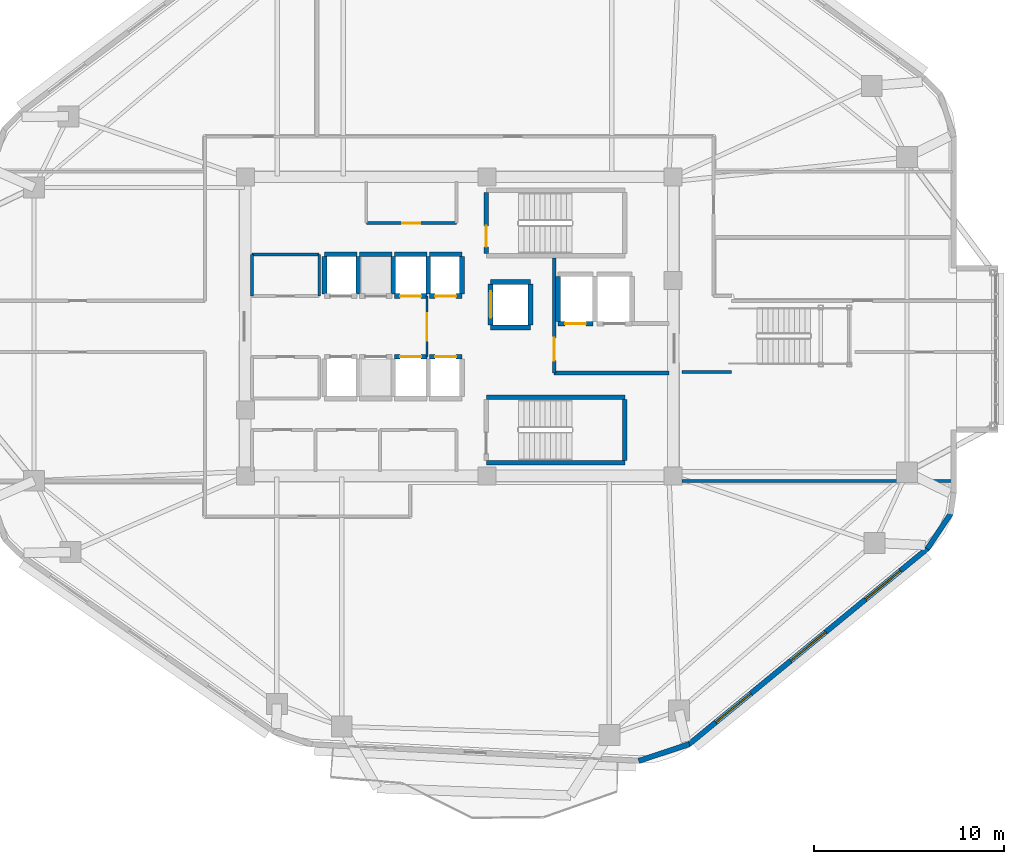
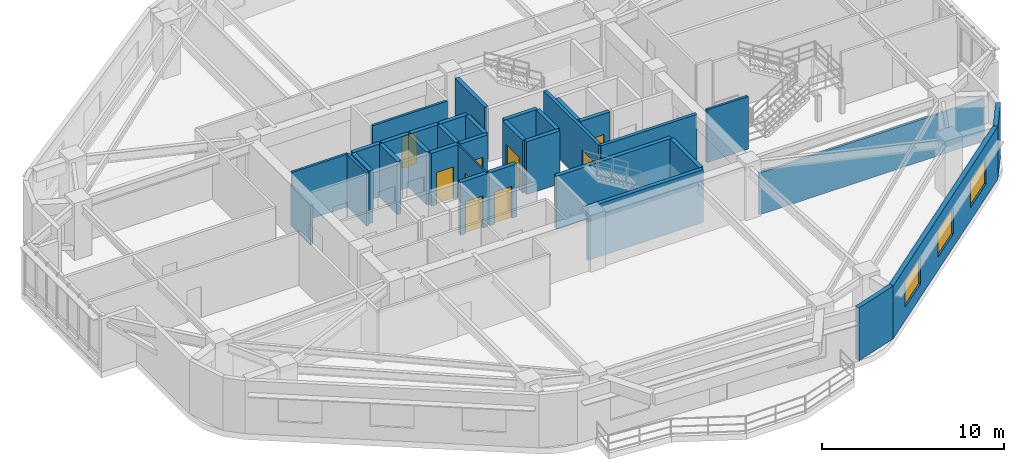
# One storey, part 10 of 16: 35 walls, 10 doors, 3 windows, 13 openings.
"""IFC4 building model written with IfcOpenShell, lengths in metres."""

from ifc_helpers import new_model, si_unit, direction, frame, frame_2d, origin, place, context, subcontext, project, spatial, rectangle, extrude, material, layer, layer_set, type_object, element, fill, save


model = new_model("IFC4")

# Units and contexts
model_context = context("Model", 3, precision=1e-05, world=origin(), true_north=direction((0.0, 1.0)))
body_context = subcontext(model_context, "Body", "Model", "MODEL_VIEW")
ifc_project = project(units=[si_unit("LENGTHUNIT", "METRE"), si_unit("AREAUNIT", "SQUARE_METRE"), si_unit("VOLUMEUNIT", "CUBIC_METRE"), si_unit("PLANEANGLEUNIT", "RADIAN"), si_unit("MASSUNIT", "GRAM", prefix="KILO")], contexts=[model_context])

# Site, building, storey
site_placement = place(None, origin())
site = spatial("IfcSite", under=ifc_project, at=site_placement, CompositionType="ELEMENT")
building_placement = place(site_placement, origin())
building = spatial("IfcBuilding", under=site, at=building_placement, Name="Zulverin Broadcast Headquarters", CompositionType="ELEMENT")
storey_placement = place(building_placement, frame((0.0, 0.0, 125.0)))
storey = spatial("IfcBuildingStorey", under=building, at=storey_placement, Name="L31", CompositionType="ELEMENT", Elevation=125.0)

# Wall, openings, windows
ifc_material_1 = material(Name="Insulated pale-metal clad concrete spandrel C40/50", Category="concrete")
ifc_layer_1 = layer(ifc_material_1, 0.280029296875, Name="Insulated pale-metal clad concrete spandrel C40/50", Category="concrete")
ifc_layer_set_1 = layer_set([ifc_layer_1], Name="Insulated pale-metal clad concrete spandrel C40/50")
wall_type_1 = type_object("IfcWallType", Name="WL-EXT-280", PredefinedType="STANDARD", material=ifc_layer_set_1)
wall_1_placement = place(storey_placement, frame((49.080078125, 3.164306640625, 0.0), z_axis=(0.0, 0.0, 1.0), x_axis=(0.772937830186, 0.634481765433, 0.0)))
wall_1 = element("IfcWall", 1, at=wall_1_placement, inside=storey, type_object=wall_type_1, Name="L31 Pale-Metal Clad Spandrel Wall 2", PredefinedType="STANDARD", context=body_context, shape_type="SweptSolid", body=[
    extrude(rectangle(XDim=16.308837890625, YDim=0.280029296875, at=frame_2d((8.154296875, 0.0))), origin(), (0.0, 0.0, 1.0), 3.5400390625),
])
opening_1_placement = place(wall_1_placement, frame((1.8515625, 0.0, 0.89990234375)))
opening_1 = element("IfcOpeningElement", 2, at=opening_1_placement, cuts=wall_1, Name="Opening W-L31-E21", PredefinedType="OPENING", context=body_context, shape_type="SweptSolid", body=[
    extrude(rectangle(XDim=2.39990234375, YDim=1.75, at=frame_2d((1.199951171875, 0.875))), frame((0.0, 0.14990234375, 0.0), z_axis=(0.0, -1.0, 0.0), x_axis=(1.0, 0.0, 0.0)), (0.0, 0.0, 1.0), 0.300048828125),
])
opening_2_placement = place(wall_1_placement, frame((6.954345703125, 0.0, 0.89990234375)))
opening_2 = element("IfcOpeningElement", 3, at=opening_2_placement, cuts=wall_1, Name="Opening W-L31-E22", PredefinedType="OPENING", context=body_context, shape_type="SweptSolid", body=[
    extrude(rectangle(XDim=2.39990234375, YDim=1.75, at=frame_2d((1.199951171875, 0.875))), frame((0.0, 0.14990234375, 0.0), z_axis=(0.0, -1.0, 0.0), x_axis=(1.0, 0.0, 0.0)), (0.0, 0.0, 1.0), 0.300048828125),
])
opening_3_placement = place(wall_1_placement, frame((12.057373046875, 0.0, 0.89990234375)))
opening_3 = element("IfcOpeningElement", 4, at=opening_3_placement, cuts=wall_1, Name="Opening W-L31-E23", PredefinedType="OPENING", context=body_context, shape_type="SweptSolid", body=[
    extrude(rectangle(XDim=2.39990234375, YDim=1.75, at=frame_2d((1.199951171875, 0.875))), frame((0.0, 0.14990234375, 0.0), z_axis=(0.0, -1.0, 0.0), x_axis=(1.0, 0.0, 0.0)), (0.0, 0.0, 1.0), 0.300048828125),
])
ifc_material_2 = material(Name="Pale anodized aluminium frame with solar-control low-E double glazing", Category="aluminium")
window_type = type_object("IfcWindowType", Name="WIN-RIB-2400", PartitioningType="SINGLE_PANEL", PredefinedType="WINDOW", material=ifc_material_2)
window_1_placement = place(opening_1_placement, origin())
window_1 = element("IfcWindow", 5, at=window_1_placement, inside=storey, type_object=window_type, Name="L31 Ribbon Glazing Window 2 1", OverallHeight=1.75, OverallWidth=2.39990234375, PartitioningType="SINGLE_PANEL", PredefinedType="WINDOW", context=body_context, shape_type="SweptSolid", body=[
    extrude(rectangle(XDim=2.39990234375, YDim=1.75, at=frame_2d((1.199951171875, 0.875))), frame((0.0, 0.030029296875, 0.0), z_axis=(0.0, -1.0, 0.0), x_axis=(1.0, 0.0, 0.0)), (0.0, 0.0, 1.0), 0.06005859375),
])
fill(opening_1, window_1)
window_2_placement = place(opening_2_placement, origin())
window_2 = element("IfcWindow", 6, at=window_2_placement, inside=storey, type_object=window_type, Name="L31 Ribbon Glazing Window 2 2", OverallHeight=1.75, OverallWidth=2.39990234375, PartitioningType="SINGLE_PANEL", PredefinedType="WINDOW", context=body_context, shape_type="SweptSolid", body=[
    extrude(rectangle(XDim=2.39990234375, YDim=1.75, at=frame_2d((1.199951171875, 0.875))), frame((0.0, 0.030029296875, 0.0), z_axis=(0.0, -1.0, 0.0), x_axis=(1.0, 0.0, 0.0)), (0.0, 0.0, 1.0), 0.06005859375),
])
fill(opening_2, window_2)
window_3_placement = place(opening_3_placement, origin())
window_3 = element("IfcWindow", 7, at=window_3_placement, inside=storey, type_object=window_type, Name="L31 Ribbon Glazing Window 2 3", OverallHeight=1.75, OverallWidth=2.39990234375, PartitioningType="SINGLE_PANEL", PredefinedType="WINDOW", context=body_context, shape_type="SweptSolid", body=[
    extrude(rectangle(XDim=2.39990234375, YDim=1.75, at=frame_2d((1.199951171875, 0.875))), frame((0.0, 0.030029296875, 0.0), z_axis=(0.0, -1.0, 0.0), x_axis=(1.0, 0.0, 0.0)), (0.0, 0.0, 1.0), 0.06005859375),
])
fill(opening_3, window_3)

# Walls
wall_2_placement = place(storey_placement, frame((46.455078125, 2.30859375, 0.0), z_axis=(0.0, 0.0, 1.0), x_axis=(0.949677222099, 0.313230224955, 0.0)))
element("IfcWall", 8, at=wall_2_placement, inside=storey, type_object=wall_type_1, Name="L31 Wind-Shaped Corner Spandrel Wall 1-1", PredefinedType="STANDARD", context=body_context, shape_type="SweptSolid", body=[
    extrude(rectangle(XDim=2.811279296875, YDim=0.280029296875, at=frame_2d((1.40576171875, 0.0))), origin(), (0.0, 0.0, 1.0), 3.5400390625),
])
wall_3_placement = place(storey_placement, frame((61.658203125, 13.481689453125, 0.0), z_axis=(0.0, 0.0, 1.0), x_axis=(0.555521224344, 0.831502356764, 0.0)))
element("IfcWall", 9, at=wall_3_placement, inside=storey, type_object=wall_type_1, Name="L31 Wind-Shaped Corner Spandrel Wall 2-1", PredefinedType="STANDARD", context=body_context, shape_type="SweptSolid", body=[
    extrude(rectangle(XDim=2.263671875, YDim=0.280029296875, at=frame_2d((1.1318359375, 0.0))), origin(), (0.0, 0.0, 1.0), 3.5400390625),
])

# Wall, opening, door
ifc_material_3 = material(Name="Concrete C40/50", Category="concrete")
ifc_layer_2 = layer(ifc_material_3, 0.199951171875, Name="Concrete C40/50", Category="concrete")
ifc_layer_set_2 = layer_set([ifc_layer_2], Name="Concrete C40/50")
wall_type_2 = type_object("IfcWallType", Name="WL-FFL-200", PredefinedType="SOLIDWALL", material=ifc_layer_set_2)
wall_4_placement = place(storey_placement, frame((42.0, 22.75, 0.0), z_axis=(0.0, 0.0, 1.0), x_axis=(0.0, 1.0, 0.0)))
wall_4 = element("IfcWall", 10, at=wall_4_placement, inside=storey, type_object=wall_type_2, Name="L31 Firefighting Lift Lobby West Wall", PredefinedType="SOLIDWALL", context=body_context, shape_type="SweptSolid", body=[
    extrude(rectangle(XDim=6.050048828125, YDim=0.199951171875, at=frame_2d((3.02490234375, 0.0))), origin(), (0.0, 0.0, 1.0), 3.5400390625),
])
opening_4_placement = place(wall_4_placement, frame((0.64990234375, 0.0, 0.0)))
opening_4 = element("IfcOpeningElement", 11, at=opening_4_placement, cuts=wall_4, Name="Opening D-L31-FFLW", PredefinedType="OPENING", context=body_context, shape_type="SweptSolid", body=[
    extrude(rectangle(XDim=1.199951171875, YDim=2.14990234375, at=frame_2d((0.60009765625, 1.074951171875))), frame((0.0, 0.10986328125, 0.0), z_axis=(0.0, -1.0, 0.0), x_axis=(1.0, 0.0, 0.0)), (0.0, 0.0, 1.0), 0.219970703125),
])
ifc_material_4 = material(Name="Fire-rated steel leaf and frame", Category="steel")
door_type_1 = type_object("IfcDoorType", Name="DR-FFL-1200", OperationType="SINGLE_SWING_RIGHT", PredefinedType="DOOR", material=ifc_material_4)
door_1_placement = place(opening_4_placement, origin())
door_1 = element("IfcDoor", 12, at=door_1_placement, inside=storey, type_object=door_type_1, Name="L31 Firefighting Lift Lobby Door", OperationType="SINGLE_SWING_RIGHT", OverallHeight=2.14990234375, OverallWidth=1.199951171875, PredefinedType="DOOR", context=body_context, shape_type="SweptSolid", body=[
    extrude(rectangle(XDim=1.199951171875, YDim=2.14990234375, at=frame_2d((0.60009765625, 1.074951171875))), frame((0.0, 0.02490234375, 0.0), z_axis=(0.0, -1.0, 0.0), x_axis=(1.0, 0.0, 0.0)), (0.0, 0.0, 1.0), 0.050048828125),
])
fill(opening_4, door_1)

# Wall
wall_5_placement = place(storey_placement, frame((42.0, 22.75, 0.0), z_axis=(0.0, 0.0, 1.0), x_axis=(1.0, 0.0, 0.0)))
element("IfcWall", 13, at=wall_5_placement, inside=storey, type_object=wall_type_2, Name="L31 Firefighting Lift Lobby South Wall", PredefinedType="SOLIDWALL", context=body_context, shape_type="SweptSolid", body=[
    extrude(rectangle(XDim=6.050048828125, YDim=0.199951171875, at=frame_2d((3.02490234375, 0.0))), origin(), (0.0, 0.0, 1.0), 3.5400390625),
])

# Wall, opening, door
ifc_material_5 = material(Name="Fire-rated acoustic laminated glass screen", Category="glass")
ifc_layer_3 = layer(ifc_material_5, 0.10009765625, Name="Fire-rated acoustic laminated glass screen", Category="glass")
ifc_layer_set_3 = layer_set([ifc_layer_3], Name="Fire-rated acoustic laminated glass screen")
wall_type_3 = type_object("IfcWallType", Name="WL-GLAZ-100", PredefinedType="PARTITIONING", material=ifc_layer_set_3)
wall_6_placement = place(storey_placement, frame((35.300048828125, 23.60009765625, 0.0), z_axis=(0.0, 0.0, 1.0), x_axis=(0.0, 1.0, 0.0)))
wall_6 = element("IfcWall", 14, at=wall_6_placement, inside=storey, type_object=wall_type_3, Name="L31 Central Core Smoke Vestibule Screen", PredefinedType="PARTITIONING", context=body_context, shape_type="SweptSolid", body=[
    extrude(rectangle(XDim=3.199951171875, YDim=0.10009765625, at=frame_2d((1.60009765625, 0.0))), origin(), (0.0, 0.0, 1.0), 3.5400390625),
])
opening_5_placement = place(wall_6_placement, frame((0.85009765625, 0.0, 0.0)))
opening_5 = element("IfcOpeningElement", 15, at=opening_5_placement, cuts=wall_6, Name="Opening D-L31-CL2", PredefinedType="OPENING", context=body_context, shape_type="SweptSolid", body=[
    extrude(rectangle(XDim=1.449951171875, YDim=2.1201171875, at=frame_2d((0.72509765625, 1.06005859375))), frame((0.0, 0.06005859375, 0.0), z_axis=(0.0, -1.0, 0.0), x_axis=(1.0, 0.0, 0.0)), (0.0, 0.0, 1.0), 0.1201171875),
])
ifc_material_6 = material(Name="Fire-rated acoustic glazed double leaf", Category="glass")
door_type_2 = type_object("IfcDoorType", Name="DR-GLZ-1450", OperationType="DOUBLE_DOOR_SINGLE_SWING", PredefinedType="DOOR", material=ifc_material_6)
door_2_placement = place(opening_5_placement, origin())
door_2 = element("IfcDoor", 16, at=door_2_placement, inside=storey, type_object=door_type_2, Name="L31 Central Core Smoke Vestibule Door", OperationType="DOUBLE_DOOR_SINGLE_SWING", OverallHeight=2.1201171875, OverallWidth=1.449951171875, PredefinedType="DOOR", context=body_context, shape_type="SweptSolid", body=[
    extrude(rectangle(XDim=1.449951171875, YDim=2.1201171875, at=frame_2d((0.72509765625, 1.06005859375))), frame((0.0, 0.02490234375, 0.0), z_axis=(0.0, -1.0, 0.0), x_axis=(1.0, 0.0, 0.0)), (0.0, 0.0, 1.0), 0.050048828125),
])
fill(opening_5, door_2)

ifc_material_7 = material(Name="Fire-rated gypsum stud partition", Category="gypsum")
ifc_layer_4 = layer(ifc_material_7, 0.14990234375, Name="Fire-rated gypsum stud partition", Category="gypsum")
ifc_layer_set_4 = layer_set([ifc_layer_4], Name="Fire-rated gypsum stud partition")
wall_type_4 = type_object("IfcWallType", Name="WL-PART-150", PredefinedType="PARTITIONING", material=ifc_layer_set_4)
wall_7_placement = place(storey_placement, frame((32.10009765625, 30.64990234375, 0.0), z_axis=(0.0, 0.0, 1.0), x_axis=(1.0, 0.0, 0.0)))
wall_7 = element("IfcWall", 17, at=wall_7_placement, inside=storey, type_object=wall_type_4, Name="L31 Core Accessible WC & Electrical Riser Front Wall", PredefinedType="PARTITIONING", context=body_context, shape_type="SweptSolid", body=[
    extrude(rectangle(XDim=4.75, YDim=0.14990234375, at=frame_2d((2.375, 0.0))), origin(), (0.0, 0.0, 1.0), 3.5400390625),
])
opening_6_placement = place(wall_7_placement, frame((1.89990234375, 0.0, 0.0)))
opening_6 = element("IfcOpeningElement", 18, at=opening_6_placement, cuts=wall_7, Name="Opening D-L31-NC1", PredefinedType="OPENING", context=body_context, shape_type="SweptSolid", body=[
    extrude(rectangle(XDim=0.949951171875, YDim=2.10009765625, at=frame_2d((0.47509765625, 1.050048828125))), frame((0.0, 0.0849609375, 0.0), z_axis=(0.0, -1.0, 0.0), x_axis=(1.0, 0.0, 0.0)), (0.0, 0.0, 1.0), 0.169921875),
])
ifc_material_8 = material(Name="Fire-rated moisture-resistant laminate leaf", Category="wood")
door_type_3 = type_object("IfcDoorType", Name="DR-WC-950", OperationType="SINGLE_SWING_LEFT", PredefinedType="DOOR", material=ifc_material_8)
door_3_placement = place(opening_6_placement, origin())
door_3 = element("IfcDoor", 19, at=door_3_placement, inside=storey, type_object=door_type_3, Name="L31 Accessible WC & Electrical Riser Door", OperationType="SINGLE_SWING_LEFT", OverallHeight=2.10009765625, OverallWidth=0.949951171875, PredefinedType="DOOR", context=body_context, shape_type="SweptSolid", body=[
    extrude(rectangle(XDim=0.949951171875, YDim=2.10009765625, at=frame_2d((0.47509765625, 1.050048828125))), frame((0.0, 0.02490234375, 0.0), z_axis=(0.0, -1.0, 0.0), x_axis=(1.0, 0.0, 0.0)), (0.0, 0.0, 1.0), 0.050048828125),
])
fill(opening_6, door_3)

# Walls
wall_8_placement = place(storey_placement, frame((26.070068359375, 29.0, 0.0), z_axis=(0.0, 0.0, 1.0), x_axis=(1.0, 0.0, 0.0)))
element("IfcWall", 20, at=wall_8_placement, inside=storey, type_object=wall_type_4, Name="L31 Broadcast Signal Patch Room N Wall", PredefinedType="PARTITIONING", context=body_context, shape_type="SweptSolid", body=[
    extrude(rectangle(XDim=3.550048828125, YDim=0.14990234375, at=frame_2d((1.77490234375, 0.0))), origin(), (0.0, 0.0, 1.0), 3.5400390625),
])
wall_9_placement = place(storey_placement, frame((26.070068359375, 26.800048828125, 0.0), z_axis=(0.0, 0.0, 1.0), x_axis=(0.0, 1.0, 0.0)))
element("IfcWall", 21, at=wall_9_placement, inside=storey, type_object=wall_type_4, Name="L31 Broadcast Signal Patch Room W Wall", PredefinedType="PARTITIONING", context=body_context, shape_type="SweptSolid", body=[
    extrude(rectangle(XDim=2.199951171875, YDim=0.14990234375, at=frame_2d((1.10009765625, 0.0))), origin(), (0.0, 0.0, 1.0), 2.639892578125),
])
wall_10_placement = place(storey_placement, frame((29.6201171875, 26.800048828125, 0.0), z_axis=(0.0, 0.0, 1.0), x_axis=(0.0, 1.0, 0.0)))
element("IfcWall", 22, at=wall_10_placement, inside=storey, type_object=wall_type_4, Name="L31 Broadcast Signal Patch Room E Wall", PredefinedType="PARTITIONING", context=body_context, shape_type="SweptSolid", body=[
    extrude(rectangle(XDim=2.199951171875, YDim=0.14990234375, at=frame_2d((1.10009765625, 0.0))), origin(), (0.0, 0.0, 1.0), 3.5400390625),
])
wall_11_placement = place(storey_placement, frame((48.739990234375, 17.050048828125, 0.0), z_axis=(0.0, 0.0, 1.0), x_axis=(1.0, 0.0, 0.0)))
element("IfcWall", 23, at=wall_11_placement, inside=storey, type_object=wall_type_4, Name="L31 Room Partition Wall RP-08", PredefinedType="PARTITIONING", context=body_context, shape_type="SweptSolid", body=[
    extrude(rectangle(XDim=14.255126953125, YDim=0.14990234375, at=frame_2d((7.12744140625, 0.0))), origin(), (0.0, 0.0, 1.0), 2.7900390625),
])
wall_12_placement = place(storey_placement, frame((48.739990234375, 22.800048828125, 0.0), z_axis=(0.0, 0.0, 1.0), x_axis=(1.0, 0.0, 0.0)))
element("IfcWall", 24, at=wall_12_placement, inside=storey, type_object=wall_type_4, Name="L31 Gallery Partition Wall CG-09", PredefinedType="PARTITIONING", context=body_context, shape_type="SweptSolid", body=[
    extrude(rectangle(XDim=2.610107421875, YDim=0.14990234375, at=frame_2d((1.30517578125, 0.0))), origin(), (0.0, 0.0, 1.0), 3.5400390625),
])

# Wall, opening, door
ifc_material_9 = material(Name="Concrete C50/60", Category="concrete")
ifc_layer_5 = layer(ifc_material_9, 0.25, Name="Concrete C50/60", Category="concrete")
ifc_layer_set_5 = layer_set([ifc_layer_5], Name="Concrete C50/60")
wall_type_5 = type_object("IfcWallType", Name="WL-SHAFT-250", PredefinedType="SHEAR", material=ifc_layer_set_5)
wall_13_placement = place(storey_placement, frame((38.425048828125, 29.050048828125, 0.0), z_axis=(0.0, 0.0, 1.0), x_axis=(0.0, 1.0, 0.0)))
wall_13 = element("IfcWall", 25, at=wall_13_placement, inside=storey, type_object=wall_type_5, Name="L31 ST-1 Enclosure Wall W", PredefinedType="SHEAR", context=body_context, shape_type="SweptSolid", body=[
    extrude(rectangle(XDim=3.199951171875, YDim=0.25, at=frame_2d((1.60009765625, 0.0))), origin(), (0.0, 0.0, 1.0), 3.5400390625),
])
opening_7_placement = place(wall_13_placement, frame((0.35009765625, 0.0, 0.0)))
opening_7 = element("IfcOpeningElement", 26, at=opening_7_placement, cuts=wall_13, Name="Opening D-L31-ST-1", PredefinedType="OPENING", context=body_context, shape_type="SweptSolid", body=[
    extrude(rectangle(XDim=1.10009765625, YDim=2.14990234375, at=frame_2d((0.550048828125, 1.074951171875))), frame((0.0, 0.135009765625, 0.0), z_axis=(0.0, -1.0, 0.0), x_axis=(1.0, 0.0, 0.0)), (0.0, 0.0, 1.0), 0.27001953125),
])
door_type_4 = type_object("IfcDoorType", Name="DR-STAIR-1100", OperationType="SINGLE_SWING_LEFT", PredefinedType="DOOR", material=ifc_material_4)
door_4_placement = place(opening_7_placement, origin())
door_4 = element("IfcDoor", 27, at=door_4_placement, inside=storey, type_object=door_type_4, Name="L31 Exit Stair ST-1 Fire Door", OperationType="SINGLE_SWING_LEFT", OverallHeight=2.14990234375, OverallWidth=1.10009765625, PredefinedType="DOOR", context=body_context, shape_type="SweptSolid", body=[
    extrude(rectangle(XDim=1.10009765625, YDim=2.14990234375, at=frame_2d((0.550048828125, 1.074951171875))), frame((0.0, 0.02490234375, 0.0), z_axis=(0.0, -1.0, 0.0), x_axis=(1.0, 0.0, 0.0)), (0.0, 0.0, 1.0), 0.050048828125),
])
fill(opening_7, door_4)

# Walls
for number, where, z_axis, x_axis, name in (
    (28, (38.425048828125, 18.02490234375, 0.0), (0.0, 0.0, 1.0), (1.0, 0.0, 0.0), "L31 ST-2 Enclosure Wall S"),
    (29, (38.425048828125, 21.47509765625, 0.0), (0.0, 0.0, 1.0), (1.0, 0.0, 0.0), "L31 ST-2 Enclosure Wall N"),
):
    element("IfcWall", number, at=place(storey_placement, frame(where, z_axis=z_axis, x_axis=x_axis)), inside=storey, type_object=wall_type_5, Name=name, PredefinedType="SHEAR", context=body_context, shape_type="SweptSolid", body=[
        extrude(rectangle(XDim=7.300048828125, YDim=0.25, at=frame_2d((3.64990234375, 0.0))), origin(), (0.0, 0.0, 1.0), 3.5400390625),
    ])
wall_14_placement = place(storey_placement, frame((45.72509765625, 18.14990234375, 0.0), z_axis=(0.0, 0.0, 1.0), x_axis=(0.0, 1.0, 0.0)))
element("IfcWall", 30, at=wall_14_placement, inside=storey, type_object=wall_type_5, Name="L31 ST-2 Enclosure Wall E", PredefinedType="SHEAR", context=body_context, shape_type="SweptSolid", body=[
    extrude(rectangle(XDim=3.2001953125, YDim=0.25, at=frame_2d((1.60009765625, 0.0))), origin(), (0.0, 0.0, 1.0), 3.5400390625),
])

# Wall, opening, door
wall_15_placement = place(storey_placement, frame((33.580078125, 23.60009765625, 0.0), z_axis=(0.0, 0.0, 1.0), x_axis=(1.0, 0.0, 0.0)))
wall_15 = element("IfcWall", 31, at=wall_15_placement, inside=storey, type_object=wall_type_5, Name="L31 Lift PL-M3 Shaft Wall N", PredefinedType="SHEAR", context=body_context, shape_type="SweptSolid", body=[
    extrude(rectangle(XDim=1.719970703125, YDim=0.25, at=frame_2d((0.85986328125, 0.0))), origin(), (0.0, 0.0, 1.0), 3.5400390625),
])
opening_8_placement = place(wall_15_placement, frame((0.31005859375, 0.0, 0.0)))
opening_8 = element("IfcOpeningElement", 32, at=opening_8_placement, cuts=wall_15, Name="Opening LD-PL-M3-L31", PredefinedType="OPENING", context=body_context, shape_type="SweptSolid", body=[
    extrude(rectangle(XDim=1.10009765625, YDim=2.14990234375, at=frame_2d((0.550048828125, 1.074951171875))), frame((0.0, 0.135009765625, 0.0), z_axis=(0.0, -1.0, 0.0), x_axis=(1.0, 0.0, 0.0)), (0.0, 0.0, 1.0), 0.27001953125),
])
ifc_material_10 = material(Name="Brushed stainless steel landing", Category="steel")
door_type_5 = type_object("IfcDoorType", Name="LD-PASS-1100", OperationType="DOUBLE_DOOR_SLIDING", PredefinedType="DOOR", material=ifc_material_10)
door_5_placement = place(opening_8_placement, origin())
door_5 = element("IfcDoor", 33, at=door_5_placement, inside=storey, type_object=door_type_5, Name="L31 Lift PL-M3 Sliding Landing Door", OperationType="DOUBLE_DOOR_SLIDING", OverallHeight=2.14990234375, OverallWidth=1.10009765625, PredefinedType="DOOR", context=body_context, shape_type="SweptSolid", body=[
    extrude(rectangle(XDim=1.10009765625, YDim=2.14990234375, at=frame_2d((0.550048828125, 1.074951171875))), frame((0.0, 0.02490234375, 0.0), z_axis=(0.0, -1.0, 0.0), x_axis=(1.0, 0.0, 0.0)), (0.0, 0.0, 1.0), 0.050048828125),
])
fill(opening_8, door_5)

wall_16_placement = place(storey_placement, frame((35.419921875, 23.60009765625, 0.0), z_axis=(0.0, 0.0, 1.0), x_axis=(1.0, 0.0, 0.0)))
wall_16 = element("IfcWall", 34, at=wall_16_placement, inside=storey, type_object=wall_type_5, Name="L31 Lift PL-M4 Shaft Wall N", PredefinedType="SHEAR", context=body_context, shape_type="SweptSolid", body=[
    extrude(rectangle(XDim=1.719970703125, YDim=0.25, at=frame_2d((0.85986328125, 0.0))), origin(), (0.0, 0.0, 1.0), 3.5400390625),
])
opening_9_placement = place(wall_16_placement, frame((0.31005859375, 0.0, 0.0)))
opening_9 = element("IfcOpeningElement", 35, at=opening_9_placement, cuts=wall_16, Name="Opening LD-PL-M4-L31", PredefinedType="OPENING", context=body_context, shape_type="SweptSolid", body=[
    extrude(rectangle(XDim=1.10009765625, YDim=2.14990234375, at=frame_2d((0.550048828125, 1.074951171875))), frame((0.0, 0.135009765625, 0.0), z_axis=(0.0, -1.0, 0.0), x_axis=(1.0, 0.0, 0.0)), (0.0, 0.0, 1.0), 0.27001953125),
])
door_6_placement = place(opening_9_placement, origin())
door_6 = element("IfcDoor", 36, at=door_6_placement, inside=storey, type_object=door_type_5, Name="L31 Lift PL-M4 Sliding Landing Door", OperationType="DOUBLE_DOOR_SLIDING", OverallHeight=2.14990234375, OverallWidth=1.10009765625, PredefinedType="DOOR", context=body_context, shape_type="SweptSolid", body=[
    extrude(rectangle(XDim=1.10009765625, YDim=2.14990234375, at=frame_2d((0.550048828125, 1.074951171875))), frame((0.0, 0.02490234375, 0.0), z_axis=(0.0, -1.0, 0.0), x_axis=(1.0, 0.0, 0.0)), (0.0, 0.0, 1.0), 0.050048828125),
])
fill(opening_9, door_6)

# Walls
wall_17_placement = place(storey_placement, frame((29.89990234375, 29.0, 0.0), z_axis=(0.0, 0.0, 1.0), x_axis=(1.0, 0.0, 0.0)))
element("IfcWall", 37, at=wall_17_placement, inside=storey, type_object=wall_type_5, Name="L31 Lift PL-H1 Shaft Wall N", PredefinedType="SHEAR", context=body_context, shape_type="SweptSolid", body=[
    extrude(rectangle(XDim=1.72021484375, YDim=0.25, at=frame_2d((0.860107421875, 0.0))), origin(), (0.0, 0.0, 1.0), 3.5400390625),
])
for number, where, z_axis, x_axis, name in (
    (38, (29.89990234375, 26.919921875, 0.0), (0.0, 0.0, 1.0), (0.0, 1.0, 0.0), "L31 Lift PL-H1 Shaft Wall W"),
    (39, (31.679931640625, 26.919921875, 0.0), (0.0, 0.0, 1.0), (0.0, 1.0, 0.0), "L31 Lift PL-H1 Shaft Wall E"),
):
    element("IfcWall", number, at=place(storey_placement, frame(where, z_axis=z_axis, x_axis=x_axis)), inside=storey, type_object=wall_type_5, Name=name, PredefinedType="SHEAR", context=body_context, shape_type="SweptSolid", body=[
        extrude(rectangle(XDim=1.9599609375, YDim=0.25, at=frame_2d((0.97998046875, 0.0))), origin(), (0.0, 0.0, 1.0), 3.5400390625),
    ])
wall_18_placement = place(storey_placement, frame((31.739990234375, 29.0, 0.0), z_axis=(0.0, 0.0, 1.0), x_axis=(1.0, 0.0, 0.0)))
element("IfcWall", 40, at=wall_18_placement, inside=storey, type_object=wall_type_5, Name="L31 Lift PL-H2 Shaft Wall N", PredefinedType="SHEAR", context=body_context, shape_type="SweptSolid", body=[
    extrude(rectangle(XDim=1.719970703125, YDim=0.25, at=frame_2d((0.85986328125, 0.0))), origin(), (0.0, 0.0, 1.0), 3.5400390625),
])
wall_19_placement = place(storey_placement, frame((33.52001953125, 26.919921875, 0.0), z_axis=(0.0, 0.0, 1.0), x_axis=(0.0, 1.0, 0.0)))
element("IfcWall", 41, at=wall_19_placement, inside=storey, type_object=wall_type_5, Name="L31 Lift PL-H2 Shaft Wall E", PredefinedType="SHEAR", context=body_context, shape_type="SweptSolid", body=[
    extrude(rectangle(XDim=1.9599609375, YDim=0.25, at=frame_2d((0.97998046875, 0.0))), origin(), (0.0, 0.0, 1.0), 3.5400390625),
])

# Wall, opening, door
wall_20_placement = place(storey_placement, frame((33.580078125, 26.800048828125, 0.0), z_axis=(0.0, 0.0, 1.0), x_axis=(1.0, 0.0, 0.0)))
wall_20 = element("IfcWall", 42, at=wall_20_placement, inside=storey, type_object=wall_type_5, Name="L31 Lift PL-H3 Shaft Wall S", PredefinedType="SHEAR", context=body_context, shape_type="SweptSolid", body=[
    extrude(rectangle(XDim=1.719970703125, YDim=0.25, at=frame_2d((0.85986328125, 0.0))), origin(), (0.0, 0.0, 1.0), 3.5400390625),
])
opening_10_placement = place(wall_20_placement, frame((0.31005859375, 0.0, 0.0)))
opening_10 = element("IfcOpeningElement", 43, at=opening_10_placement, cuts=wall_20, Name="Opening LD-PL-H3-L31", PredefinedType="OPENING", context=body_context, shape_type="SweptSolid", body=[
    extrude(rectangle(XDim=1.10009765625, YDim=2.14990234375, at=frame_2d((0.550048828125, 1.074951171875))), frame((0.0, 0.135009765625, 0.0), z_axis=(0.0, -1.0, 0.0), x_axis=(1.0, 0.0, 0.0)), (0.0, 0.0, 1.0), 0.27001953125),
])
door_7_placement = place(opening_10_placement, origin())
door_7 = element("IfcDoor", 44, at=door_7_placement, inside=storey, type_object=door_type_5, Name="L31 Lift PL-H3 Sliding Landing Door", OperationType="DOUBLE_DOOR_SLIDING", OverallHeight=2.14990234375, OverallWidth=1.10009765625, PredefinedType="DOOR", context=body_context, shape_type="SweptSolid", body=[
    extrude(rectangle(XDim=1.10009765625, YDim=2.14990234375, at=frame_2d((0.550048828125, 1.074951171875))), frame((0.0, 0.02490234375, 0.0), z_axis=(0.0, -1.0, 0.0), x_axis=(1.0, 0.0, 0.0)), (0.0, 0.0, 1.0), 0.050048828125),
])
fill(opening_10, door_7)

# Walls
wall_21_placement = place(storey_placement, frame((33.580078125, 29.0, 0.0), z_axis=(0.0, 0.0, 1.0), x_axis=(1.0, 0.0, 0.0)))
element("IfcWall", 45, at=wall_21_placement, inside=storey, type_object=wall_type_5, Name="L31 Lift PL-H3 Shaft Wall N", PredefinedType="SHEAR", context=body_context, shape_type="SweptSolid", body=[
    extrude(rectangle(XDim=1.719970703125, YDim=0.25, at=frame_2d((0.85986328125, 0.0))), origin(), (0.0, 0.0, 1.0), 3.5400390625),
])
wall_22_placement = place(storey_placement, frame((35.360107421875, 26.919921875, 0.0), z_axis=(0.0, 0.0, 1.0), x_axis=(0.0, 1.0, 0.0)))
element("IfcWall", 46, at=wall_22_placement, inside=storey, type_object=wall_type_5, Name="L31 Lift PL-H3 Shaft Wall E", PredefinedType="SHEAR", context=body_context, shape_type="SweptSolid", body=[
    extrude(rectangle(XDim=1.9599609375, YDim=0.25, at=frame_2d((0.97998046875, 0.0))), origin(), (0.0, 0.0, 1.0), 3.5400390625),
])

# Wall, opening, door
wall_23_placement = place(storey_placement, frame((35.419921875, 26.800048828125, 0.0), z_axis=(0.0, 0.0, 1.0), x_axis=(1.0, 0.0, 0.0)))
wall_23 = element("IfcWall", 47, at=wall_23_placement, inside=storey, type_object=wall_type_5, Name="L31 Lift PL-H4 Shaft Wall S", PredefinedType="SHEAR", context=body_context, shape_type="SweptSolid", body=[
    extrude(rectangle(XDim=1.719970703125, YDim=0.25, at=frame_2d((0.85986328125, 0.0))), origin(), (0.0, 0.0, 1.0), 3.5400390625),
])
opening_11_placement = place(wall_23_placement, frame((0.31005859375, 0.0, 0.0)))
opening_11 = element("IfcOpeningElement", 48, at=opening_11_placement, cuts=wall_23, Name="Opening LD-PL-H4-L31", PredefinedType="OPENING", context=body_context, shape_type="SweptSolid", body=[
    extrude(rectangle(XDim=1.10009765625, YDim=2.14990234375, at=frame_2d((0.550048828125, 1.074951171875))), frame((0.0, 0.135009765625, 0.0), z_axis=(0.0, -1.0, 0.0), x_axis=(1.0, 0.0, 0.0)), (0.0, 0.0, 1.0), 0.27001953125),
])
door_8_placement = place(opening_11_placement, origin())
door_8 = element("IfcDoor", 49, at=door_8_placement, inside=storey, type_object=door_type_5, Name="L31 Lift PL-H4 Sliding Landing Door", OperationType="DOUBLE_DOOR_SLIDING", OverallHeight=2.14990234375, OverallWidth=1.10009765625, PredefinedType="DOOR", context=body_context, shape_type="SweptSolid", body=[
    extrude(rectangle(XDim=1.10009765625, YDim=2.14990234375, at=frame_2d((0.550048828125, 1.074951171875))), frame((0.0, 0.02490234375, 0.0), z_axis=(0.0, -1.0, 0.0), x_axis=(1.0, 0.0, 0.0)), (0.0, 0.0, 1.0), 0.050048828125),
])
fill(opening_11, door_8)

# Walls
wall_24_placement = place(storey_placement, frame((35.419921875, 29.0, 0.0), z_axis=(0.0, 0.0, 1.0), x_axis=(1.0, 0.0, 0.0)))
element("IfcWall", 50, at=wall_24_placement, inside=storey, type_object=wall_type_5, Name="L31 Lift PL-H4 Shaft Wall N", PredefinedType="SHEAR", context=body_context, shape_type="SweptSolid", body=[
    extrude(rectangle(XDim=1.719970703125, YDim=0.25, at=frame_2d((0.85986328125, 0.0))), origin(), (0.0, 0.0, 1.0), 3.5400390625),
])
wall_25_placement = place(storey_placement, frame((37.139892578125, 26.919921875, 0.0), z_axis=(0.0, 0.0, 1.0), x_axis=(0.0, 1.0, 0.0)))
element("IfcWall", 51, at=wall_25_placement, inside=storey, type_object=wall_type_5, Name="L31 Lift PL-H4 Shaft Wall E", PredefinedType="SHEAR", context=body_context, shape_type="SweptSolid", body=[
    extrude(rectangle(XDim=1.9599609375, YDim=0.25, at=frame_2d((0.97998046875, 0.0))), origin(), (0.0, 0.0, 1.0), 3.5400390625),
])

# Wall, opening, door
wall_26_placement = place(storey_placement, frame((42.199951171875, 25.35009765625, 0.0), z_axis=(0.0, 0.0, 1.0), x_axis=(1.0, 0.0, 0.0)))
wall_26 = element("IfcWall", 52, at=wall_26_placement, inside=storey, type_object=wall_type_5, Name="L31 Lift FFL-1 Shaft Wall S", PredefinedType="SHEAR", context=body_context, shape_type="SweptSolid", body=[
    extrude(rectangle(XDim=1.85009765625, YDim=0.25, at=frame_2d((0.925048828125, 0.0))), origin(), (0.0, 0.0, 1.0), 3.5400390625),
])
opening_12_placement = place(wall_26_placement, frame((0.375, 0.0, 0.0)))
opening_12 = element("IfcOpeningElement", 53, at=opening_12_placement, cuts=wall_26, Name="Opening LD-FFL-1-L31", PredefinedType="OPENING", context=body_context, shape_type="SweptSolid", body=[
    extrude(rectangle(XDim=1.10009765625, YDim=2.14990234375, at=frame_2d((0.550048828125, 1.074951171875))), frame((0.0, 0.135009765625, 0.0), z_axis=(0.0, -1.0, 0.0), x_axis=(1.0, 0.0, 0.0)), (0.0, 0.0, 1.0), 0.27001953125),
])
ifc_material_11 = material(Name="Fire-rated stainless landing door", Category="steel")
door_type_6 = type_object("IfcDoorType", Name="LD-FFL-1100", OperationType="DOUBLE_DOOR_SLIDING", PredefinedType="DOOR", material=ifc_material_11)
door_9_placement = place(opening_12_placement, origin())
door_9 = element("IfcDoor", 54, at=door_9_placement, inside=storey, type_object=door_type_6, Name="L31 Lift FFL-1 Sliding Landing Door", OperationType="DOUBLE_DOOR_SLIDING", OverallHeight=2.14990234375, OverallWidth=1.10009765625, PredefinedType="DOOR", context=body_context, shape_type="SweptSolid", body=[
    extrude(rectangle(XDim=1.10009765625, YDim=2.14990234375, at=frame_2d((0.550048828125, 1.074951171875))), frame((0.0, 0.02490234375, 0.0), z_axis=(0.0, -1.0, 0.0), x_axis=(1.0, 0.0, 0.0)), (0.0, 0.0, 1.0), 0.050048828125),
])
fill(opening_12, door_9)

# Walls
wall_27_placement = place(storey_placement, frame((42.199951171875, 25.469970703125, 0.0), z_axis=(0.0, 0.0, 1.0), x_axis=(0.0, 1.0, 0.0)))
element("IfcWall", 55, at=wall_27_placement, inside=storey, type_object=wall_type_5, Name="L31 Lift FFL-1 Shaft Wall W", PredefinedType="SHEAR", context=body_context, shape_type="SweptSolid", body=[
    extrude(rectangle(XDim=2.360107421875, YDim=0.25, at=frame_2d((1.18017578125, 0.0))), origin(), (0.0, 0.0, 1.0), 3.5400390625),
])
for number, where, z_axis, x_axis, name in (
    (56, (38.64990234375, 25.14990234375, 0.0), (0.0, 0.0, 1.0), (1.0, 0.0, 0.0), "L31 Lift SVL-1 Shaft Wall S"),
    (57, (38.64990234375, 27.550048828125, 0.0), (0.0, 0.0, 1.0), (1.0, 0.0, 0.0), "L31 Lift SVL-1 Shaft Wall N"),
):
    element("IfcWall", number, at=place(storey_placement, frame(where, z_axis=z_axis, x_axis=x_axis)), inside=storey, type_object=wall_type_5, Name=name, PredefinedType="SHEAR", context=body_context, shape_type="SweptSolid", body=[
        extrude(rectangle(XDim=2.10009765625, YDim=0.25, at=frame_2d((1.050048828125, 0.0))), origin(), (0.0, 0.0, 1.0), 3.5400390625),
    ])

# Wall, opening, door
wall_28_placement = place(storey_placement, frame((38.64990234375, 25.27001953125, 0.0), z_axis=(0.0, 0.0, 1.0), x_axis=(0.0, 1.0, 0.0)))
wall_28 = element("IfcWall", 58, at=wall_28_placement, inside=storey, type_object=wall_type_5, Name="L31 Lift SVL-1 Shaft Wall W", PredefinedType="SHEAR", context=body_context, shape_type="SweptSolid", body=[
    extrude(rectangle(XDim=2.159912109375, YDim=0.25, at=frame_2d((1.080078125, 0.0))), origin(), (0.0, 0.0, 1.0), 3.5400390625),
])
opening_13_placement = place(wall_28_placement, frame((0.3798828125, 0.0, 0.0)))
opening_13 = element("IfcOpeningElement", 59, at=opening_13_placement, cuts=wall_28, Name="Opening LD-SVL-1-L31", PredefinedType="OPENING", context=body_context, shape_type="SweptSolid", body=[
    extrude(rectangle(XDim=1.39990234375, YDim=2.199951171875, at=frame_2d((0.699951171875, 1.10009765625))), frame((0.0, 0.135009765625, 0.0), z_axis=(0.0, -1.0, 0.0), x_axis=(1.0, 0.0, 0.0)), (0.0, 0.0, 1.0), 0.27001953125),
])
ifc_material_12 = material(Name="Heavy-duty stainless landing door", Category="steel")
door_type_7 = type_object("IfcDoorType", Name="LD-GOODS-1400", OperationType="DOUBLE_DOOR_SLIDING", PredefinedType="DOOR", material=ifc_material_12)
door_10_placement = place(opening_13_placement, origin())
door_10 = element("IfcDoor", 60, at=door_10_placement, inside=storey, type_object=door_type_7, Name="L31 Lift SVL-1 Sliding Landing Door", OperationType="DOUBLE_DOOR_SLIDING", OverallHeight=2.199951171875, OverallWidth=1.39990234375, PredefinedType="DOOR", context=body_context, shape_type="SweptSolid", body=[
    extrude(rectangle(XDim=1.39990234375, YDim=2.199951171875, at=frame_2d((0.699951171875, 1.10009765625))), frame((0.0, 0.02490234375, 0.0), z_axis=(0.0, -1.0, 0.0), x_axis=(1.0, 0.0, 0.0)), (0.0, 0.0, 1.0), 0.050048828125),
])
fill(opening_13, door_10)

# Wall
wall_29_placement = place(storey_placement, frame((40.75, 25.27001953125, 0.0), z_axis=(0.0, 0.0, 1.0), x_axis=(0.0, 1.0, 0.0)))
element("IfcWall", 61, at=wall_29_placement, inside=storey, type_object=wall_type_5, Name="L31 Lift SVL-1 Shaft Wall E", PredefinedType="SHEAR", context=body_context, shape_type="SweptSolid", body=[
    extrude(rectangle(XDim=2.159912109375, YDim=0.25, at=frame_2d((1.080078125, 0.0))), origin(), (0.0, 0.0, 1.0), 3.5400390625),
])

save(model, "model.ifc")
